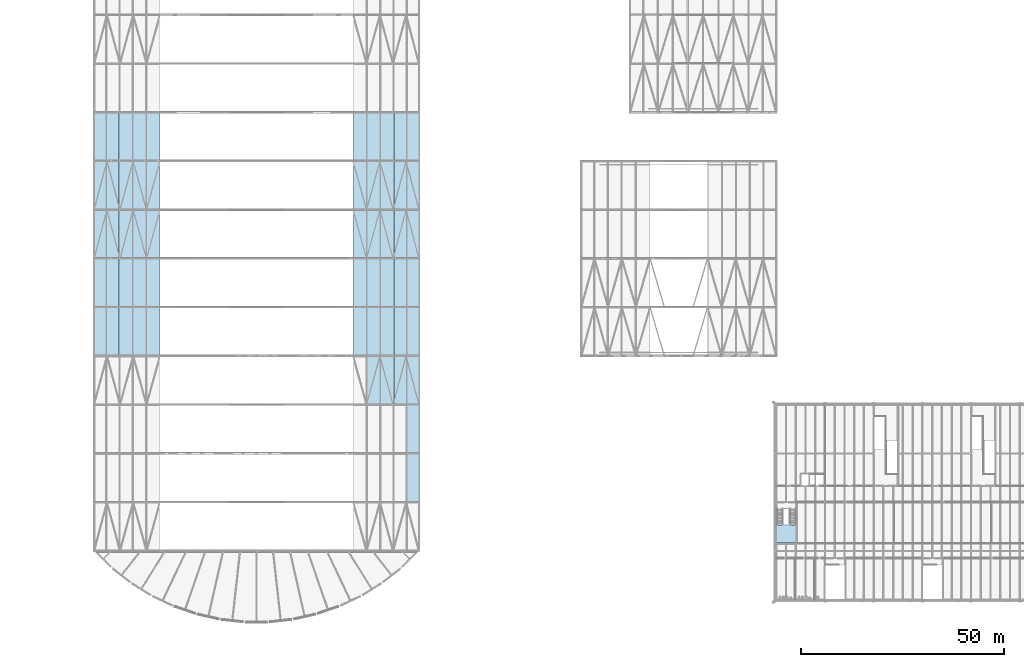
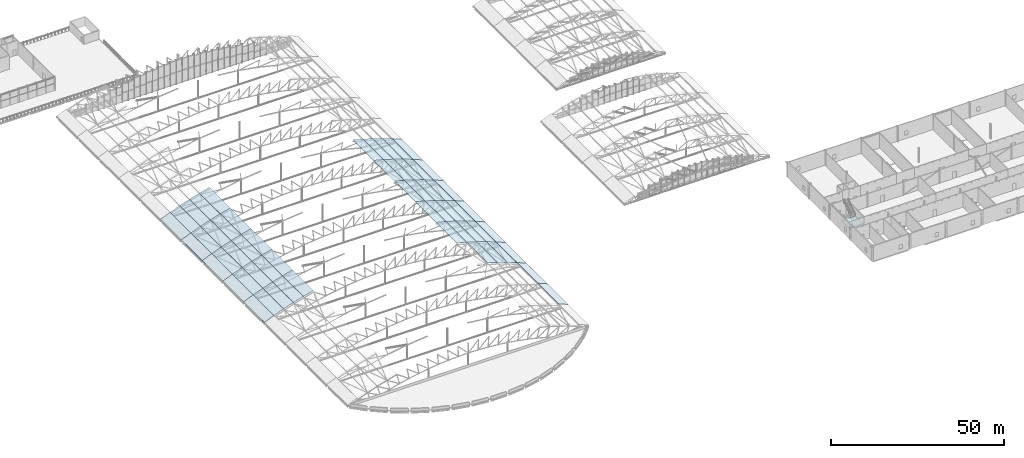
# One storey, part 247 of 321: 57 slabs, 1 element without a shape of its own.
"""IFC4 building model written with IfcOpenShell, lengths in metres."""

from ifc_helpers import new_model, si_unit, direction, frame, origin, place, context, subcontext, project, spatial, polyline, outline, extrude, material, layer, layer_set, type_object, element, aggregate, save


model = new_model("IFC4")

# Units and contexts
model_context = context("Model", 3, precision=1e-05, world=origin(), true_north=direction((0.0, 1.0)))
body_context = subcontext(model_context, "Body", "Model", "MODEL_VIEW")
ifc_project = project(units=[si_unit("LENGTHUNIT", "METRE"), si_unit("AREAUNIT", "SQUARE_METRE"), si_unit("VOLUMEUNIT", "CUBIC_METRE"), si_unit("PLANEANGLEUNIT", "RADIAN"), si_unit("MASSUNIT", "GRAM", prefix="KILO")], contexts=[model_context])

# Site, building, storey
site_placement = place(None, origin())
site = spatial("IfcSite", under=ifc_project, at=site_placement, CompositionType="ELEMENT")
building_placement = place(site_placement, origin())
building = spatial("IfcBuilding", under=site, at=building_placement, Name="Ravi Spectrum Wholesale Market", CompositionType="ELEMENT")
storey_placement = place(building_placement, frame((0.0, 0.0, 10.800048828125)))
storey = spatial("IfcBuildingStorey", under=building, at=storey_placement, Name="L02", CompositionType="ELEMENT", Elevation=10.800048828125)

# Slabs
ifc_material_1 = material(Name="Steel S355", Category="steel")
ifc_layer_1 = layer(ifc_material_1, 0.1201171875)
ifc_layer_set_1 = layer_set([ifc_layer_1], Name="Steel S355")
slab_type_1 = type_object("IfcSlabType", Name="Roof panel 120", PredefinedType="ROOF", material=ifc_layer_set_1)
for number, where, z_axis, x_axis, name in (
    (1, (107.057861328125, 42.0, 1.875732421875), (0.386400188162, 0.0, 0.922331228241), (0.922331228241, 0.0, -0.386400188162), "H1-SL-L02-020"),
    (2, (107.057861328125, 54.0, 1.875732421875), (0.386400188162, 0.0, 0.922331228241), (0.922331228241, 0.0, -0.386400188162), "H1-SL-L02-030"),
):
    element("IfcSlab", number, at=place(storey_placement, frame(where, z_axis=z_axis, x_axis=x_axis)), inside=storey, type_object=slab_type_1, Name=name, PredefinedType="ROOF", context=body_context, shape_type="SweptSolid", body=[
        extrude(outline(polyline([(0.0, 0.0), (3.44665233138391, 0.0), (3.44665233138391, 12.0), (0.0, 12.0), (0.0, 0.0)])), origin(), (0.0, 0.0, -1.0), 0.1201171875),
    ])
slab_1_placement = place(storey_placement, frame((97.260498046875, 66.0, 5.20703125), z_axis=(0.289069508048, 0.0, 0.957308111068), x_axis=(0.957308111068, 0.0, -0.289069508048)))
element("IfcSlab", 3, at=slab_1_placement, inside=storey, type_object=slab_type_1, Name="H1-SL-L02-037", PredefinedType="ROOF", context=body_context, shape_type="SweptSolid", body=[
    extrude(outline(polyline([(0.0, 0.0), (3.4467069783764797, 0.0), (3.4467069783764797, 12.0), (0.0, 12.0), (0.0, 0.0)])), origin(), (0.0, 0.0, -1.0), 0.1201171875),
])
slab_2_placement = place(storey_placement, frame((100.56396484375, 66.0, 4.20947265625), z_axis=(0.321938289451, 0.0, 0.946760654963), x_axis=(0.946760654963, 0.0, -0.321938289451)))
element("IfcSlab", 4, at=slab_2_placement, inside=storey, type_object=slab_type_1, Name="H1-SL-L02-038", PredefinedType="ROOF", context=body_context, shape_type="SweptSolid", body=[
    extrude(outline(polyline([(0.0, 0.0), (3.4466827245571254, 0.0), (3.4466827245571254, 12.0), (0.0, 12.0), (0.0, 0.0)])), origin(), (0.0, 0.0, -1.0), 0.1201171875),
])
slab_3_placement = place(storey_placement, frame((103.8310546875, 66.0, 3.0986328125), z_axis=(0.354389433988, 0.0, 0.93509792486), x_axis=(0.93509792486, 0.0, -0.354389433988)))
element("IfcSlab", 5, at=slab_3_placement, inside=storey, type_object=slab_type_1, Name="H1-SL-L02-039", PredefinedType="ROOF", context=body_context, shape_type="SweptSolid", body=[
    extrude(outline(polyline([(0.0, 0.0), (3.4465913194140976, 0.0), (3.4465913194140976, 12.0), (0.0, 12.0), (0.0, 0.0)])), origin(), (0.0, 0.0, -1.0), 0.1201171875),
])
for number, where, z_axis, x_axis, name in (
    (6, (107.057861328125, 66.0, 1.875732421875), (0.386400188162, 0.0, 0.922331228241), (0.922331228241, 0.0, -0.386400188162), "H1-SL-L02-040"),
    (7, (29.76318359375, 78.0, 0.5439453125), (-0.386400188162, 0.0, 0.922331228241), (0.922331228241, 0.0, 0.386400188162), "H1-SL-L02-041"),
):
    element("IfcSlab", number, at=place(storey_placement, frame(where, z_axis=z_axis, x_axis=x_axis)), inside=storey, type_object=slab_type_1, Name=name, PredefinedType="ROOF", context=body_context, shape_type="SweptSolid", body=[
        extrude(outline(polyline([(0.0, 0.0), (3.44665233138391, 0.0), (3.44665233138391, 12.0), (0.0, 12.0), (0.0, 0.0)])), origin(), (0.0, 0.0, -1.0), 0.1201171875),
    ])
slab_4_placement = place(storey_placement, frame((32.946044921875, 78.0, 1.877197265625), z_axis=(-0.354389433988, 0.0, 0.93509792486), x_axis=(0.93509792486, 0.0, 0.354389433988)))
element("IfcSlab", 8, at=slab_4_placement, inside=storey, type_object=slab_type_1, Name="H1-SL-L02-042", PredefinedType="ROOF", context=body_context, shape_type="SweptSolid", body=[
    extrude(outline(polyline([(0.0, 0.0), (3.4465913194140976, 0.0), (3.4465913194140976, 12.0), (0.0, 12.0), (0.0, 0.0)])), origin(), (0.0, 0.0, -1.0), 0.1201171875),
])
slab_5_placement = place(storey_placement, frame((36.1728515625, 78.0, 3.099853515625), z_axis=(-0.321938289451, 0.0, 0.946760654963), x_axis=(0.946760654963, 0.0, 0.321938289451)))
element("IfcSlab", 9, at=slab_5_placement, inside=storey, type_object=slab_type_1, Name="H1-SL-L02-043", PredefinedType="ROOF", context=body_context, shape_type="SweptSolid", body=[
    extrude(outline(polyline([(0.0, 0.0), (3.4466827245571254, 0.0), (3.4466827245571254, 12.0), (0.0, 12.0), (0.0, 0.0)])), origin(), (0.0, 0.0, -1.0), 0.1201171875),
])
slab_6_placement = place(storey_placement, frame((39.43994140625, 78.0, 4.210693359375), z_axis=(-0.289069508048, 0.0, 0.957308111068), x_axis=(0.957308111068, 0.0, 0.289069508048)))
element("IfcSlab", 10, at=slab_6_placement, inside=storey, type_object=slab_type_1, Name="H1-SL-L02-044", PredefinedType="ROOF", context=body_context, shape_type="SweptSolid", body=[
    extrude(outline(polyline([(0.0, 0.0), (3.4467069783764797, 0.0), (3.4467069783764797, 12.0), (0.0, 12.0), (0.0, 0.0)])), origin(), (0.0, 0.0, -1.0), 0.1201171875),
])
for number, where, z_axis, x_axis, name in (
    (11, (42.74365234375, 78.0, 5.2080078125), (-0.255929552766, 0.0, 0.966695434985), (0.966695434985, 0.0, 0.255929552766), "H1-SL-L02-045"),
    (12, (93.924560546875, 78.0, 6.090087890625), (0.255929552766, 0.0, 0.966695434985), (0.966695434985, 0.0, -0.255929552766), "H1-SL-L02-046"),
):
    element("IfcSlab", number, at=place(storey_placement, frame(where, z_axis=z_axis, x_axis=x_axis)), inside=storey, type_object=slab_type_1, Name=name, PredefinedType="ROOF", context=body_context, shape_type="SweptSolid", body=[
        extrude(outline(polyline([(0.0, 0.0), (3.4465737488732815, 0.0), (3.4465737488732815, 12.0), (0.0, 12.0), (0.0, 0.0)])), origin(), (0.0, 0.0, -1.0), 0.1201171875),
    ])
slab_7_placement = place(storey_placement, frame((97.260498046875, 78.0, 5.20703125), z_axis=(0.289069508048, 0.0, 0.957308111068), x_axis=(0.957308111068, 0.0, -0.289069508048)))
element("IfcSlab", 13, at=slab_7_placement, inside=storey, type_object=slab_type_1, Name="H1-SL-L02-047", PredefinedType="ROOF", context=body_context, shape_type="SweptSolid", body=[
    extrude(outline(polyline([(0.0, 0.0), (3.4467069783764797, 0.0), (3.4467069783764797, 12.0), (0.0, 12.0), (0.0, 0.0)])), origin(), (0.0, 0.0, -1.0), 0.1201171875),
])
slab_8_placement = place(storey_placement, frame((100.56396484375, 78.0, 4.20947265625), z_axis=(0.321938289451, 0.0, 0.946760654963), x_axis=(0.946760654963, 0.0, -0.321938289451)))
element("IfcSlab", 14, at=slab_8_placement, inside=storey, type_object=slab_type_1, Name="H1-SL-L02-048", PredefinedType="ROOF", context=body_context, shape_type="SweptSolid", body=[
    extrude(outline(polyline([(0.0, 0.0), (3.4466827245571254, 0.0), (3.4466827245571254, 12.0), (0.0, 12.0), (0.0, 0.0)])), origin(), (0.0, 0.0, -1.0), 0.1201171875),
])
slab_9_placement = place(storey_placement, frame((103.8310546875, 78.0, 3.0986328125), z_axis=(0.354389433988, 0.0, 0.93509792486), x_axis=(0.93509792486, 0.0, -0.354389433988)))
element("IfcSlab", 15, at=slab_9_placement, inside=storey, type_object=slab_type_1, Name="H1-SL-L02-049", PredefinedType="ROOF", context=body_context, shape_type="SweptSolid", body=[
    extrude(outline(polyline([(0.0, 0.0), (3.4465913194140976, 0.0), (3.4465913194140976, 12.0), (0.0, 12.0), (0.0, 0.0)])), origin(), (0.0, 0.0, -1.0), 0.1201171875),
])
for number, where, z_axis, x_axis, name in (
    (16, (107.057861328125, 78.0, 1.875732421875), (0.386400188162, 0.0, 0.922331228241), (0.922331228241, 0.0, -0.386400188162), "H1-SL-L02-050"),
    (17, (29.76318359375, 90.0, 0.5439453125), (-0.386400188162, 0.0, 0.922331228241), (0.922331228241, 0.0, 0.386400188162), "H1-SL-L02-051"),
):
    element("IfcSlab", number, at=place(storey_placement, frame(where, z_axis=z_axis, x_axis=x_axis)), inside=storey, type_object=slab_type_1, Name=name, PredefinedType="ROOF", context=body_context, shape_type="SweptSolid", body=[
        extrude(outline(polyline([(0.0, 0.0), (3.44665233138391, 0.0), (3.44665233138391, 12.0), (0.0, 12.0), (0.0, 0.0)])), origin(), (0.0, 0.0, -1.0), 0.1201171875),
    ])
slab_10_placement = place(storey_placement, frame((32.946044921875, 90.0, 1.877197265625), z_axis=(-0.354389433988, 0.0, 0.93509792486), x_axis=(0.93509792486, 0.0, 0.354389433988)))
element("IfcSlab", 18, at=slab_10_placement, inside=storey, type_object=slab_type_1, Name="H1-SL-L02-052", PredefinedType="ROOF", context=body_context, shape_type="SweptSolid", body=[
    extrude(outline(polyline([(0.0, 0.0), (3.4465913194140976, 0.0), (3.4465913194140976, 12.0), (0.0, 12.0), (0.0, 0.0)])), origin(), (0.0, 0.0, -1.0), 0.1201171875),
])
slab_11_placement = place(storey_placement, frame((36.1728515625, 90.0, 3.099853515625), z_axis=(-0.321938289451, 0.0, 0.946760654963), x_axis=(0.946760654963, 0.0, 0.321938289451)))
element("IfcSlab", 19, at=slab_11_placement, inside=storey, type_object=slab_type_1, Name="H1-SL-L02-053", PredefinedType="ROOF", context=body_context, shape_type="SweptSolid", body=[
    extrude(outline(polyline([(0.0, 0.0), (3.4466827245571254, 0.0), (3.4466827245571254, 12.0), (0.0, 12.0), (0.0, 0.0)])), origin(), (0.0, 0.0, -1.0), 0.1201171875),
])
slab_12_placement = place(storey_placement, frame((39.43994140625, 90.0, 4.210693359375), z_axis=(-0.289069508048, 0.0, 0.957308111068), x_axis=(0.957308111068, 0.0, 0.289069508048)))
element("IfcSlab", 20, at=slab_12_placement, inside=storey, type_object=slab_type_1, Name="H1-SL-L02-054", PredefinedType="ROOF", context=body_context, shape_type="SweptSolid", body=[
    extrude(outline(polyline([(0.0, 0.0), (3.4467069783764797, 0.0), (3.4467069783764797, 12.0), (0.0, 12.0), (0.0, 0.0)])), origin(), (0.0, 0.0, -1.0), 0.1201171875),
])
for number, where, z_axis, x_axis, name in (
    (21, (42.74365234375, 90.0, 5.2080078125), (-0.255929552766, 0.0, 0.966695434985), (0.966695434985, 0.0, 0.255929552766), "H1-SL-L02-055"),
    (22, (93.924560546875, 90.0, 6.090087890625), (0.255929552766, 0.0, 0.966695434985), (0.966695434985, 0.0, -0.255929552766), "H1-SL-L02-056"),
):
    element("IfcSlab", number, at=place(storey_placement, frame(where, z_axis=z_axis, x_axis=x_axis)), inside=storey, type_object=slab_type_1, Name=name, PredefinedType="ROOF", context=body_context, shape_type="SweptSolid", body=[
        extrude(outline(polyline([(0.0, 0.0), (3.4465737488732815, 0.0), (3.4465737488732815, 12.0), (0.0, 12.0), (0.0, 0.0)])), origin(), (0.0, 0.0, -1.0), 0.1201171875),
    ])
slab_13_placement = place(storey_placement, frame((97.260498046875, 90.0, 5.20703125), z_axis=(0.289069508048, 0.0, 0.957308111068), x_axis=(0.957308111068, 0.0, -0.289069508048)))
element("IfcSlab", 23, at=slab_13_placement, inside=storey, type_object=slab_type_1, Name="H1-SL-L02-057", PredefinedType="ROOF", context=body_context, shape_type="SweptSolid", body=[
    extrude(outline(polyline([(0.0, 0.0), (3.4467069783764797, 0.0), (3.4467069783764797, 12.0), (0.0, 12.0), (0.0, 0.0)])), origin(), (0.0, 0.0, -1.0), 0.1201171875),
])
slab_14_placement = place(storey_placement, frame((100.56396484375, 90.0, 4.20947265625), z_axis=(0.321938289451, 0.0, 0.946760654963), x_axis=(0.946760654963, 0.0, -0.321938289451)))
element("IfcSlab", 24, at=slab_14_placement, inside=storey, type_object=slab_type_1, Name="H1-SL-L02-058", PredefinedType="ROOF", context=body_context, shape_type="SweptSolid", body=[
    extrude(outline(polyline([(0.0, 0.0), (3.4466827245571254, 0.0), (3.4466827245571254, 12.0), (0.0, 12.0), (0.0, 0.0)])), origin(), (0.0, 0.0, -1.0), 0.1201171875),
])
slab_15_placement = place(storey_placement, frame((103.8310546875, 90.0, 3.0986328125), z_axis=(0.354389433988, 0.0, 0.93509792486), x_axis=(0.93509792486, 0.0, -0.354389433988)))
element("IfcSlab", 25, at=slab_15_placement, inside=storey, type_object=slab_type_1, Name="H1-SL-L02-059", PredefinedType="ROOF", context=body_context, shape_type="SweptSolid", body=[
    extrude(outline(polyline([(0.0, 0.0), (3.4465913194140976, 0.0), (3.4465913194140976, 12.0), (0.0, 12.0), (0.0, 0.0)])), origin(), (0.0, 0.0, -1.0), 0.1201171875),
])
for number, where, z_axis, x_axis, name in (
    (26, (107.057861328125, 90.0, 1.875732421875), (0.386400188162, 0.0, 0.922331228241), (0.922331228241, 0.0, -0.386400188162), "H1-SL-L02-060"),
    (27, (29.76318359375, 102.0, 0.5439453125), (-0.386400188162, 0.0, 0.922331228241), (0.922331228241, 0.0, 0.386400188162), "H1-SL-L02-061"),
):
    element("IfcSlab", number, at=place(storey_placement, frame(where, z_axis=z_axis, x_axis=x_axis)), inside=storey, type_object=slab_type_1, Name=name, PredefinedType="ROOF", context=body_context, shape_type="SweptSolid", body=[
        extrude(outline(polyline([(0.0, 0.0), (3.44665233138391, 0.0), (3.44665233138391, 12.0), (0.0, 12.0), (0.0, 0.0)])), origin(), (0.0, 0.0, -1.0), 0.1201171875),
    ])
slab_16_placement = place(storey_placement, frame((32.946044921875, 102.0, 1.877197265625), z_axis=(-0.354389433988, 0.0, 0.93509792486), x_axis=(0.93509792486, 0.0, 0.354389433988)))
element("IfcSlab", 28, at=slab_16_placement, inside=storey, type_object=slab_type_1, Name="H1-SL-L02-062", PredefinedType="ROOF", context=body_context, shape_type="SweptSolid", body=[
    extrude(outline(polyline([(0.0, 0.0), (3.4465913194140976, 0.0), (3.4465913194140976, 12.0), (0.0, 12.0), (0.0, 0.0)])), origin(), (0.0, 0.0, -1.0), 0.1201171875),
])
slab_17_placement = place(storey_placement, frame((36.1728515625, 102.0, 3.099853515625), z_axis=(-0.321938289451, 0.0, 0.946760654963), x_axis=(0.946760654963, 0.0, 0.321938289451)))
element("IfcSlab", 29, at=slab_17_placement, inside=storey, type_object=slab_type_1, Name="H1-SL-L02-063", PredefinedType="ROOF", context=body_context, shape_type="SweptSolid", body=[
    extrude(outline(polyline([(0.0, 0.0), (3.4466827245571254, 0.0), (3.4466827245571254, 12.0), (0.0, 12.0), (0.0, 0.0)])), origin(), (0.0, 0.0, -1.0), 0.1201171875),
])
slab_18_placement = place(storey_placement, frame((39.43994140625, 102.0, 4.210693359375), z_axis=(-0.289069508048, 0.0, 0.957308111068), x_axis=(0.957308111068, 0.0, 0.289069508048)))
element("IfcSlab", 30, at=slab_18_placement, inside=storey, type_object=slab_type_1, Name="H1-SL-L02-064", PredefinedType="ROOF", context=body_context, shape_type="SweptSolid", body=[
    extrude(outline(polyline([(0.0, 0.0), (3.4467069783764797, 0.0), (3.4467069783764797, 12.0), (0.0, 12.0), (0.0, 0.0)])), origin(), (0.0, 0.0, -1.0), 0.1201171875),
])
for number, where, z_axis, x_axis, name in (
    (31, (42.74365234375, 102.0, 5.2080078125), (-0.255929552766, 0.0, 0.966695434985), (0.966695434985, 0.0, 0.255929552766), "H1-SL-L02-065"),
    (32, (93.924560546875, 102.0, 6.090087890625), (0.255929552766, 0.0, 0.966695434985), (0.966695434985, 0.0, -0.255929552766), "H1-SL-L02-066"),
):
    element("IfcSlab", number, at=place(storey_placement, frame(where, z_axis=z_axis, x_axis=x_axis)), inside=storey, type_object=slab_type_1, Name=name, PredefinedType="ROOF", context=body_context, shape_type="SweptSolid", body=[
        extrude(outline(polyline([(0.0, 0.0), (3.4465737488732815, 0.0), (3.4465737488732815, 12.0), (0.0, 12.0), (0.0, 0.0)])), origin(), (0.0, 0.0, -1.0), 0.1201171875),
    ])
slab_19_placement = place(storey_placement, frame((97.260498046875, 102.0, 5.20703125), z_axis=(0.289069508048, 0.0, 0.957308111068), x_axis=(0.957308111068, 0.0, -0.289069508048)))
element("IfcSlab", 33, at=slab_19_placement, inside=storey, type_object=slab_type_1, Name="H1-SL-L02-067", PredefinedType="ROOF", context=body_context, shape_type="SweptSolid", body=[
    extrude(outline(polyline([(0.0, 0.0), (3.4467069783764797, 0.0), (3.4467069783764797, 12.0), (0.0, 12.0), (0.0, 0.0)])), origin(), (0.0, 0.0, -1.0), 0.1201171875),
])
slab_20_placement = place(storey_placement, frame((100.56396484375, 102.0, 4.20947265625), z_axis=(0.321938289451, 0.0, 0.946760654963), x_axis=(0.946760654963, 0.0, -0.321938289451)))
element("IfcSlab", 34, at=slab_20_placement, inside=storey, type_object=slab_type_1, Name="H1-SL-L02-068", PredefinedType="ROOF", context=body_context, shape_type="SweptSolid", body=[
    extrude(outline(polyline([(0.0, 0.0), (3.4466827245571254, 0.0), (3.4466827245571254, 12.0), (0.0, 12.0), (0.0, 0.0)])), origin(), (0.0, 0.0, -1.0), 0.1201171875),
])
slab_21_placement = place(storey_placement, frame((103.8310546875, 102.0, 3.0986328125), z_axis=(0.354389433988, 0.0, 0.93509792486), x_axis=(0.93509792486, 0.0, -0.354389433988)))
element("IfcSlab", 35, at=slab_21_placement, inside=storey, type_object=slab_type_1, Name="H1-SL-L02-069", PredefinedType="ROOF", context=body_context, shape_type="SweptSolid", body=[
    extrude(outline(polyline([(0.0, 0.0), (3.4465913194140976, 0.0), (3.4465913194140976, 12.0), (0.0, 12.0), (0.0, 0.0)])), origin(), (0.0, 0.0, -1.0), 0.1201171875),
])
for number, where, z_axis, x_axis, name in (
    (36, (107.057861328125, 102.0, 1.875732421875), (0.386400188162, 0.0, 0.922331228241), (0.922331228241, 0.0, -0.386400188162), "H1-SL-L02-070"),
    (37, (29.76318359375, 114.0, 0.5439453125), (-0.386400188162, 0.0, 0.922331228241), (0.922331228241, 0.0, 0.386400188162), "H1-SL-L02-071"),
):
    element("IfcSlab", number, at=place(storey_placement, frame(where, z_axis=z_axis, x_axis=x_axis)), inside=storey, type_object=slab_type_1, Name=name, PredefinedType="ROOF", context=body_context, shape_type="SweptSolid", body=[
        extrude(outline(polyline([(0.0, 0.0), (3.44665233138391, 0.0), (3.44665233138391, 12.0), (0.0, 12.0), (0.0, 0.0)])), origin(), (0.0, 0.0, -1.0), 0.1201171875),
    ])
slab_22_placement = place(storey_placement, frame((32.946044921875, 114.0, 1.877197265625), z_axis=(-0.354389433988, 0.0, 0.93509792486), x_axis=(0.93509792486, 0.0, 0.354389433988)))
element("IfcSlab", 38, at=slab_22_placement, inside=storey, type_object=slab_type_1, Name="H1-SL-L02-072", PredefinedType="ROOF", context=body_context, shape_type="SweptSolid", body=[
    extrude(outline(polyline([(0.0, 0.0), (3.4465913194140976, 0.0), (3.4465913194140976, 12.0), (0.0, 12.0), (0.0, 0.0)])), origin(), (0.0, 0.0, -1.0), 0.1201171875),
])
slab_23_placement = place(storey_placement, frame((36.1728515625, 114.0, 3.099853515625), z_axis=(-0.321938289451, 0.0, 0.946760654963), x_axis=(0.946760654963, 0.0, 0.321938289451)))
element("IfcSlab", 39, at=slab_23_placement, inside=storey, type_object=slab_type_1, Name="H1-SL-L02-073", PredefinedType="ROOF", context=body_context, shape_type="SweptSolid", body=[
    extrude(outline(polyline([(0.0, 0.0), (3.4466827245571254, 0.0), (3.4466827245571254, 12.0), (0.0, 12.0), (0.0, 0.0)])), origin(), (0.0, 0.0, -1.0), 0.1201171875),
])
slab_24_placement = place(storey_placement, frame((39.43994140625, 114.0, 4.210693359375), z_axis=(-0.289069508048, 0.0, 0.957308111068), x_axis=(0.957308111068, 0.0, 0.289069508048)))
element("IfcSlab", 40, at=slab_24_placement, inside=storey, type_object=slab_type_1, Name="H1-SL-L02-074", PredefinedType="ROOF", context=body_context, shape_type="SweptSolid", body=[
    extrude(outline(polyline([(0.0, 0.0), (3.4467069783764797, 0.0), (3.4467069783764797, 12.0), (0.0, 12.0), (0.0, 0.0)])), origin(), (0.0, 0.0, -1.0), 0.1201171875),
])
for number, where, z_axis, x_axis, name in (
    (41, (42.74365234375, 114.0, 5.2080078125), (-0.255929552766, 0.0, 0.966695434985), (0.966695434985, 0.0, 0.255929552766), "H1-SL-L02-075"),
    (42, (93.924560546875, 114.0, 6.090087890625), (0.255929552766, 0.0, 0.966695434985), (0.966695434985, 0.0, -0.255929552766), "H1-SL-L02-076"),
):
    element("IfcSlab", number, at=place(storey_placement, frame(where, z_axis=z_axis, x_axis=x_axis)), inside=storey, type_object=slab_type_1, Name=name, PredefinedType="ROOF", context=body_context, shape_type="SweptSolid", body=[
        extrude(outline(polyline([(0.0, 0.0), (3.4465737488732815, 0.0), (3.4465737488732815, 12.0), (0.0, 12.0), (0.0, 0.0)])), origin(), (0.0, 0.0, -1.0), 0.1201171875),
    ])
slab_25_placement = place(storey_placement, frame((97.260498046875, 114.0, 5.20703125), z_axis=(0.289069508048, 0.0, 0.957308111068), x_axis=(0.957308111068, 0.0, -0.289069508048)))
element("IfcSlab", 43, at=slab_25_placement, inside=storey, type_object=slab_type_1, Name="H1-SL-L02-077", PredefinedType="ROOF", context=body_context, shape_type="SweptSolid", body=[
    extrude(outline(polyline([(0.0, 0.0), (3.4467069783764797, 0.0), (3.4467069783764797, 12.0), (0.0, 12.0), (0.0, 0.0)])), origin(), (0.0, 0.0, -1.0), 0.1201171875),
])
slab_26_placement = place(storey_placement, frame((100.56396484375, 114.0, 4.20947265625), z_axis=(0.321938289451, 0.0, 0.946760654963), x_axis=(0.946760654963, 0.0, -0.321938289451)))
element("IfcSlab", 44, at=slab_26_placement, inside=storey, type_object=slab_type_1, Name="H1-SL-L02-078", PredefinedType="ROOF", context=body_context, shape_type="SweptSolid", body=[
    extrude(outline(polyline([(0.0, 0.0), (3.4466827245571254, 0.0), (3.4466827245571254, 12.0), (0.0, 12.0), (0.0, 0.0)])), origin(), (0.0, 0.0, -1.0), 0.1201171875),
])
slab_27_placement = place(storey_placement, frame((103.8310546875, 114.0, 3.0986328125), z_axis=(0.354389433988, 0.0, 0.93509792486), x_axis=(0.93509792486, 0.0, -0.354389433988)))
element("IfcSlab", 45, at=slab_27_placement, inside=storey, type_object=slab_type_1, Name="H1-SL-L02-079", PredefinedType="ROOF", context=body_context, shape_type="SweptSolid", body=[
    extrude(outline(polyline([(0.0, 0.0), (3.4465913194140976, 0.0), (3.4465913194140976, 12.0), (0.0, 12.0), (0.0, 0.0)])), origin(), (0.0, 0.0, -1.0), 0.1201171875),
])
for number, where, z_axis, x_axis, name in (
    (46, (107.057861328125, 114.0, 1.875732421875), (0.386400188162, 0.0, 0.922331228241), (0.922331228241, 0.0, -0.386400188162), "H1-SL-L02-080"),
    (47, (29.76318359375, 126.0, 0.5439453125), (-0.386400188162, 0.0, 0.922331228241), (0.922331228241, 0.0, 0.386400188162), "H1-SL-L02-081"),
):
    element("IfcSlab", number, at=place(storey_placement, frame(where, z_axis=z_axis, x_axis=x_axis)), inside=storey, type_object=slab_type_1, Name=name, PredefinedType="ROOF", context=body_context, shape_type="SweptSolid", body=[
        extrude(outline(polyline([(0.0, 0.0), (3.44665233138391, 0.0), (3.44665233138391, 12.0), (0.0, 12.0), (0.0, 0.0)])), origin(), (0.0, 0.0, -1.0), 0.1201171875),
    ])
slab_28_placement = place(storey_placement, frame((32.946044921875, 126.0, 1.877197265625), z_axis=(-0.354389433988, 0.0, 0.93509792486), x_axis=(0.93509792486, 0.0, 0.354389433988)))
element("IfcSlab", 48, at=slab_28_placement, inside=storey, type_object=slab_type_1, Name="H1-SL-L02-082", PredefinedType="ROOF", context=body_context, shape_type="SweptSolid", body=[
    extrude(outline(polyline([(0.0, 0.0), (3.4465913194140976, 0.0), (3.4465913194140976, 12.0), (0.0, 12.0), (0.0, 0.0)])), origin(), (0.0, 0.0, -1.0), 0.1201171875),
])
slab_29_placement = place(storey_placement, frame((36.1728515625, 126.0, 3.099853515625), z_axis=(-0.321938289451, 0.0, 0.946760654963), x_axis=(0.946760654963, 0.0, 0.321938289451)))
element("IfcSlab", 49, at=slab_29_placement, inside=storey, type_object=slab_type_1, Name="H1-SL-L02-083", PredefinedType="ROOF", context=body_context, shape_type="SweptSolid", body=[
    extrude(outline(polyline([(0.0, 0.0), (3.4466827245571254, 0.0), (3.4466827245571254, 12.0), (0.0, 12.0), (0.0, 0.0)])), origin(), (0.0, 0.0, -1.0), 0.1201171875),
])
slab_30_placement = place(storey_placement, frame((39.43994140625, 126.0, 4.210693359375), z_axis=(-0.289069508048, 0.0, 0.957308111068), x_axis=(0.957308111068, 0.0, 0.289069508048)))
element("IfcSlab", 50, at=slab_30_placement, inside=storey, type_object=slab_type_1, Name="H1-SL-L02-084", PredefinedType="ROOF", context=body_context, shape_type="SweptSolid", body=[
    extrude(outline(polyline([(0.0, 0.0), (3.4467069783764797, 0.0), (3.4467069783764797, 12.0), (0.0, 12.0), (0.0, 0.0)])), origin(), (0.0, 0.0, -1.0), 0.1201171875),
])
for number, where, z_axis, x_axis, name in (
    (51, (42.74365234375, 126.0, 5.2080078125), (-0.255929552766, 0.0, 0.966695434985), (0.966695434985, 0.0, 0.255929552766), "H1-SL-L02-085"),
    (52, (93.924560546875, 126.0, 6.090087890625), (0.255929552766, 0.0, 0.966695434985), (0.966695434985, 0.0, -0.255929552766), "H1-SL-L02-086"),
):
    element("IfcSlab", number, at=place(storey_placement, frame(where, z_axis=z_axis, x_axis=x_axis)), inside=storey, type_object=slab_type_1, Name=name, PredefinedType="ROOF", context=body_context, shape_type="SweptSolid", body=[
        extrude(outline(polyline([(0.0, 0.0), (3.4465737488732815, 0.0), (3.4465737488732815, 12.0), (0.0, 12.0), (0.0, 0.0)])), origin(), (0.0, 0.0, -1.0), 0.1201171875),
    ])
slab_31_placement = place(storey_placement, frame((97.260498046875, 126.0, 5.20703125), z_axis=(0.289069508048, 0.0, 0.957308111068), x_axis=(0.957308111068, 0.0, -0.289069508048)))
element("IfcSlab", 53, at=slab_31_placement, inside=storey, type_object=slab_type_1, Name="H1-SL-L02-087", PredefinedType="ROOF", context=body_context, shape_type="SweptSolid", body=[
    extrude(outline(polyline([(0.0, 0.0), (3.4467069783764797, 0.0), (3.4467069783764797, 12.0), (0.0, 12.0), (0.0, 0.0)])), origin(), (0.0, 0.0, -1.0), 0.1201171875),
])
slab_32_placement = place(storey_placement, frame((100.56396484375, 126.0, 4.20947265625), z_axis=(0.321938289451, 0.0, 0.946760654963), x_axis=(0.946760654963, 0.0, -0.321938289451)))
element("IfcSlab", 54, at=slab_32_placement, inside=storey, type_object=slab_type_1, Name="H1-SL-L02-088", PredefinedType="ROOF", context=body_context, shape_type="SweptSolid", body=[
    extrude(outline(polyline([(0.0, 0.0), (3.4466827245571254, 0.0), (3.4466827245571254, 12.0), (0.0, 12.0), (0.0, 0.0)])), origin(), (0.0, 0.0, -1.0), 0.1201171875),
])
slab_33_placement = place(storey_placement, frame((103.8310546875, 126.0, 3.0986328125), z_axis=(0.354389433988, 0.0, 0.93509792486), x_axis=(0.93509792486, 0.0, -0.354389433988)))
element("IfcSlab", 55, at=slab_33_placement, inside=storey, type_object=slab_type_1, Name="H1-SL-L02-089", PredefinedType="ROOF", context=body_context, shape_type="SweptSolid", body=[
    extrude(outline(polyline([(0.0, 0.0), (3.4465913194140976, 0.0), (3.4465913194140976, 12.0), (0.0, 12.0), (0.0, 0.0)])), origin(), (0.0, 0.0, -1.0), 0.1201171875),
])
slab_34_placement = place(storey_placement, frame((107.057861328125, 126.0, 1.875732421875), z_axis=(0.386400188162, 0.0, 0.922331228241), x_axis=(0.922331228241, 0.0, -0.386400188162)))
element("IfcSlab", 56, at=slab_34_placement, inside=storey, type_object=slab_type_1, Name="H1-SL-L02-090", PredefinedType="ROOF", context=body_context, shape_type="SweptSolid", body=[
    extrude(outline(polyline([(0.0, 0.0), (3.44665233138391, 0.0), (3.44665233138391, 12.0), (0.0, 12.0), (0.0, 0.0)])), origin(), (0.0, 0.0, -1.0), 0.1201171875),
])

# Stair, slab
ifc_material_2 = material(Name="Concrete C35/45", Category="concrete")
stair_type = type_object("IfcStairType", Name="Stair", PredefinedType="NOTDEFINED", material=ifc_material_2)
stair_placement = place(storey_placement, origin())
stair = element("IfcStair", 57, at=stair_placement, inside=storey, type_object=stair_type, Name="L02 S-CS-1", PredefinedType="HALF_TURN_STAIR")
ifc_material_3 = material(Name="Concrete C35/45", Category="concrete")
ifc_layer_2 = layer(ifc_material_3, 0.199951171875)
ifc_layer_set_2 = layer_set([ifc_layer_2], Name="Concrete C35/45")
slab_type_2 = type_object("IfcSlabType", Name="Stair landing 200", PredefinedType="LANDING", material=ifc_layer_set_2)
slab_35_placement = place(storey_placement, frame((0.0, 0.0, 2.5)))
slab_35 = element("IfcSlab", 58, at=slab_35_placement, type_object=slab_type_2, Name="S-CS-1 landing 1", PredefinedType="LANDING", context=body_context, shape_type="SweptSolid", body=[
    extrude(outline(polyline([(198.125, 36.429931640625), (198.125, 31.925048828125), (202.875, 31.925048828125), (202.875, 36.429931640625), (198.125, 36.429931640625)])), origin(), (0.0, 0.0, 1.0), 0.199951171875),
])
aggregate(stair, [slab_35])

save(model, "model.ifc")
